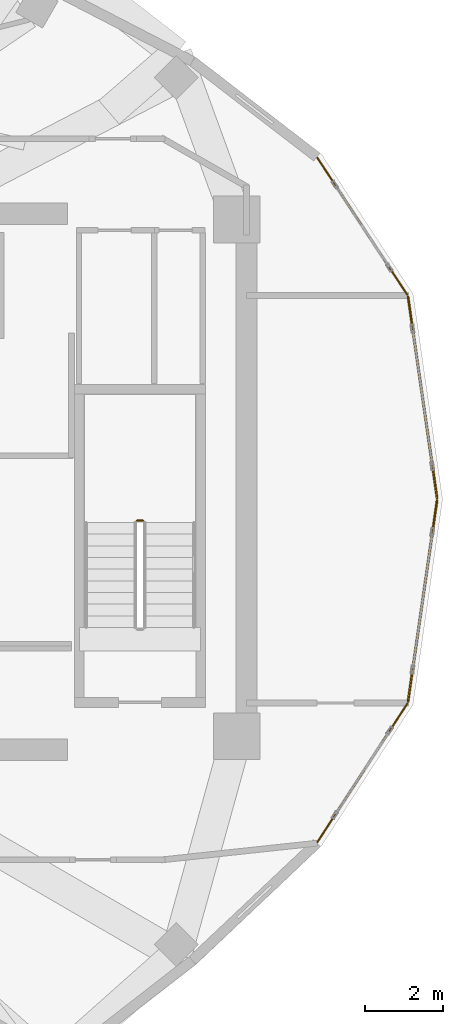
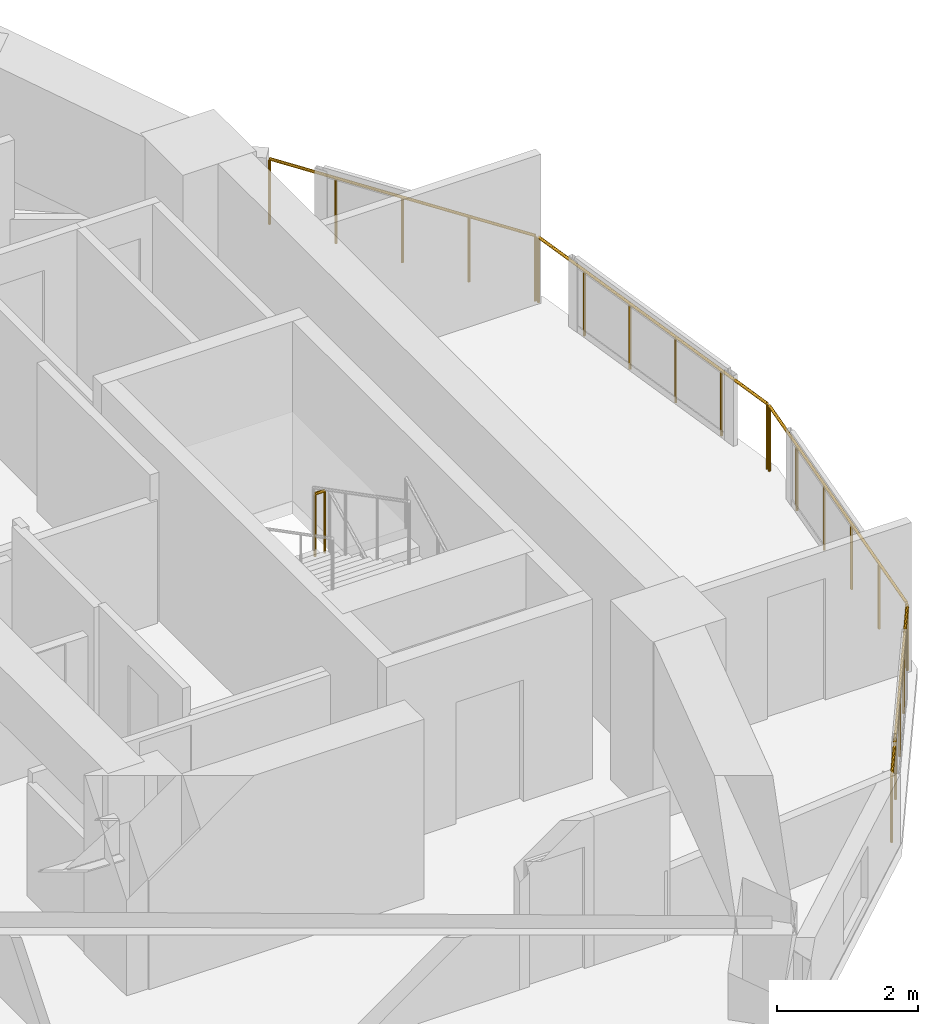
# One storey, part 20 of 20: 5 railings.
"""IFC4 building model written with IfcOpenShell, lengths in metres."""

from ifc_helpers import new_model, si_unit, direction, frame, origin, origin_2d, place, context, subcontext, project, spatial, circle, extrude, material, type_object, element, save


model = new_model("IFC4")

# Units and contexts
model_context = context("Model", 3, precision=1e-05, world=origin(), true_north=direction((0.0, 1.0)))
body_context = subcontext(model_context, "Body", "Model", "MODEL_VIEW")
ifc_project = project(units=[si_unit("LENGTHUNIT", "METRE"), si_unit("AREAUNIT", "SQUARE_METRE"), si_unit("VOLUMEUNIT", "CUBIC_METRE"), si_unit("PLANEANGLEUNIT", "RADIAN"), si_unit("MASSUNIT", "GRAM", prefix="KILO")], contexts=[model_context])

# Site, building, storey
site_placement = place(None, origin())
site = spatial("IfcSite", under=ifc_project, at=site_placement, CompositionType="ELEMENT")
building_placement = place(site_placement, origin())
building = spatial("IfcBuilding", under=site, at=building_placement, Name="Solvane Sanctuary Tower", CompositionType="ELEMENT")
storey_placement = place(building_placement, frame((0.0, 0.0, 217.10009765625)))
storey = spatial("IfcBuildingStorey", under=building, at=storey_placement, Name="L66", CompositionType="ELEMENT", Elevation=217.10009765625)

# Railings
ifc_material = material(Name="Architectural Stainless Steel 316", Category="steel")
railing_type = type_object("IfcRailingType", Name="Railing GR-BALC-1150", PredefinedType="BALUSTRADE", material=ifc_material)
railing_1_placement = place(storey_placement, frame((53.855712890625, 23.02978515625, 0.0)))
element("IfcRailing", 1, at=railing_1_placement, inside=storey, type_object=railing_type, Name="L66 Curtain-Wall Perimeter Sill Guard 00", PredefinedType="BALUSTRADE", context=body_context, shape_type="SweptSolid", body=[
    extrude(circle(Radius=0.02392578125, at=origin_2d()), frame((0.0, 0.0, 1.1259765625), z_axis=(-0.142721073856, 0.989762948931, 0.0), x_axis=(-0.989762948931, -0.142721073856, 0.0)), (0.0, 0.0, 1.0), 5.232666015625),
    extrude(circle(Radius=0.02099609375, at=origin_2d()), origin(), (0.0, 0.0, 1.0), 1.101806640625),
    extrude(circle(Radius=0.02099609375, at=origin_2d()), frame((-0.1494140625, 1.035888671875, 0.0)), (0.0, 0.0, 1.0), 1.101806640625),
    extrude(circle(Radius=0.02099609375, at=origin_2d()), frame((-0.298828125, 2.07177734375, 0.0)), (0.0, 0.0, 1.0), 1.101806640625),
    extrude(circle(Radius=0.02099609375, at=origin_2d()), frame((-0.447998046875, 3.107421875, 0.0)), (0.0, 0.0, 1.0), 1.101806640625),
    extrude(circle(Radius=0.02099609375, at=origin_2d()), frame((-0.597412109375, 4.143310546875, 0.0)), (0.0, 0.0, 1.0), 1.101806640625),
    extrude(circle(Radius=0.02099609375, at=origin_2d()), frame((-0.746826171875, 5.17919921875, 0.0)), (0.0, 0.0, 1.0), 1.101806640625),
])
railing_2_placement = place(storey_placement, frame((53.088134765625, 28.263916015625, 0.0)))
element("IfcRailing", 2, at=railing_2_placement, inside=storey, type_object=railing_type, Name="L66 Curtain-Wall Perimeter Sill Guard 01", PredefinedType="BALUSTRADE", context=body_context, shape_type="SweptSolid", body=[
    extrude(circle(Radius=0.02392578125, at=origin_2d()), frame((0.0, 0.0, 1.1259765625), z_axis=(-0.548785614743, 0.83596312661, 0.0), x_axis=(-0.83596312661, -0.548785614743, 0.0)), (0.0, 0.0, 1.0), 4.210693359375),
    extrude(circle(Radius=0.02099609375, at=origin_2d()), origin(), (0.0, 0.0, 1.0), 1.101806640625),
    extrude(circle(Radius=0.02099609375, at=origin_2d()), frame((-0.57763671875, 0.8798828125, 0.0)), (0.0, 0.0, 1.0), 1.101806640625),
    extrude(circle(Radius=0.02099609375, at=origin_2d()), frame((-1.1552734375, 1.760009765625, 0.0)), (0.0, 0.0, 1.0), 1.101806640625),
    extrude(circle(Radius=0.02099609375, at=origin_2d()), frame((-1.733154296875, 2.64013671875, 0.0)), (0.0, 0.0, 1.0), 1.101806640625),
    extrude(circle(Radius=0.02099609375, at=origin_2d()), frame((-2.310791015625, 3.52001953125, 0.0)), (0.0, 0.0, 1.0), 1.101806640625),
])
railing_3_placement = place(storey_placement, frame((50.777099609375, 14.17578125, 0.0)))
element("IfcRailing", 3, at=railing_3_placement, inside=storey, type_object=railing_type, Name="L66 Curtain-Wall Perimeter Sill Guard 22", PredefinedType="BALUSTRADE", context=body_context, shape_type="SweptSolid", body=[
    extrude(circle(Radius=0.02392578125, at=origin_2d()), frame((0.0, 0.0, 1.1259765625), z_axis=(0.544505084281, 0.838757541362, 0.0), x_axis=(-0.838757541362, 0.544505084281, 0.0)), (0.0, 0.0, 1.0), 4.24462890625),
    extrude(circle(Radius=0.02099609375, at=origin_2d()), origin(), (0.0, 0.0, 1.0), 1.101806640625),
    extrude(circle(Radius=0.02099609375, at=origin_2d()), frame((0.577880859375, 0.89013671875, 0.0)), (0.0, 0.0, 1.0), 1.101806640625),
    extrude(circle(Radius=0.02099609375, at=origin_2d()), frame((1.15576171875, 1.7802734375, 0.0)), (0.0, 0.0, 1.0), 1.101806640625),
    extrude(circle(Radius=0.02099609375, at=origin_2d()), frame((1.7333984375, 2.670166015625, 0.0)), (0.0, 0.0, 1.0), 1.101806640625),
    extrude(circle(Radius=0.02099609375, at=origin_2d()), frame((2.311279296875, 3.560302734375, 0.0)), (0.0, 0.0, 1.0), 1.101806640625),
])
railing_4_placement = place(storey_placement, frame((53.10888671875, 17.791015625, 0.0)))
element("IfcRailing", 4, at=railing_4_placement, inside=storey, type_object=railing_type, Name="L66 Curtain-Wall Perimeter Sill Guard 23", PredefinedType="BALUSTRADE", context=body_context, shape_type="SweptSolid", body=[
    extrude(circle(Radius=0.02392578125, at=origin_2d()), frame((0.0, 0.0, 1.1259765625), z_axis=(0.142721073856, 0.989762948931, 0.0), x_axis=(-0.989762948931, 0.142721073856, 0.0)), (0.0, 0.0, 1.0), 5.232666015625),
    extrude(circle(Radius=0.02099609375, at=origin_2d()), origin(), (0.0, 0.0, 1.0), 1.101806640625),
    extrude(circle(Radius=0.02099609375, at=origin_2d()), frame((0.1494140625, 1.035888671875, 0.0)), (0.0, 0.0, 1.0), 1.101806640625),
    extrude(circle(Radius=0.02099609375, at=origin_2d()), frame((0.298828125, 2.07177734375, 0.0)), (0.0, 0.0, 1.0), 1.101806640625),
    extrude(circle(Radius=0.02099609375, at=origin_2d()), frame((0.447998046875, 3.107421875, 0.0)), (0.0, 0.0, 1.0), 1.101806640625),
    extrude(circle(Radius=0.02099609375, at=origin_2d()), frame((0.597412109375, 4.143310546875, 0.0)), (0.0, 0.0, 1.0), 1.101806640625),
    extrude(circle(Radius=0.02099609375, at=origin_2d()), frame((0.746826171875, 5.17919921875, 0.0)), (0.0, 0.0, 1.0), 1.101806640625),
])
railing_5_placement = place(storey_placement, frame((46.2900390625, 22.449951171875, 1.5498046875)))
element("IfcRailing", 5, at=railing_5_placement, inside=storey, type_object=railing_type, Name="L66 ST-2 stair guard 2", PredefinedType="BALUSTRADE", context=body_context, shape_type="SweptSolid", body=[
    extrude(circle(Radius=0.02392578125, at=origin_2d()), frame((0.0, 0.0, 1.076171875), z_axis=(-1.0, 0.0, 0.0), x_axis=(0.0, -1.0, 0.0)), (0.0, 0.0, 1.0), 0.16015625),
    extrude(circle(Radius=0.02099609375, at=origin_2d()), origin(), (0.0, 0.0, 1.0), 1.052001953125),
    extrude(circle(Radius=0.02099609375, at=origin_2d()), frame((-0.16015625, 0.0, 0.0)), (0.0, 0.0, 1.0), 1.052001953125),
])

save(model, "model.ifc")
